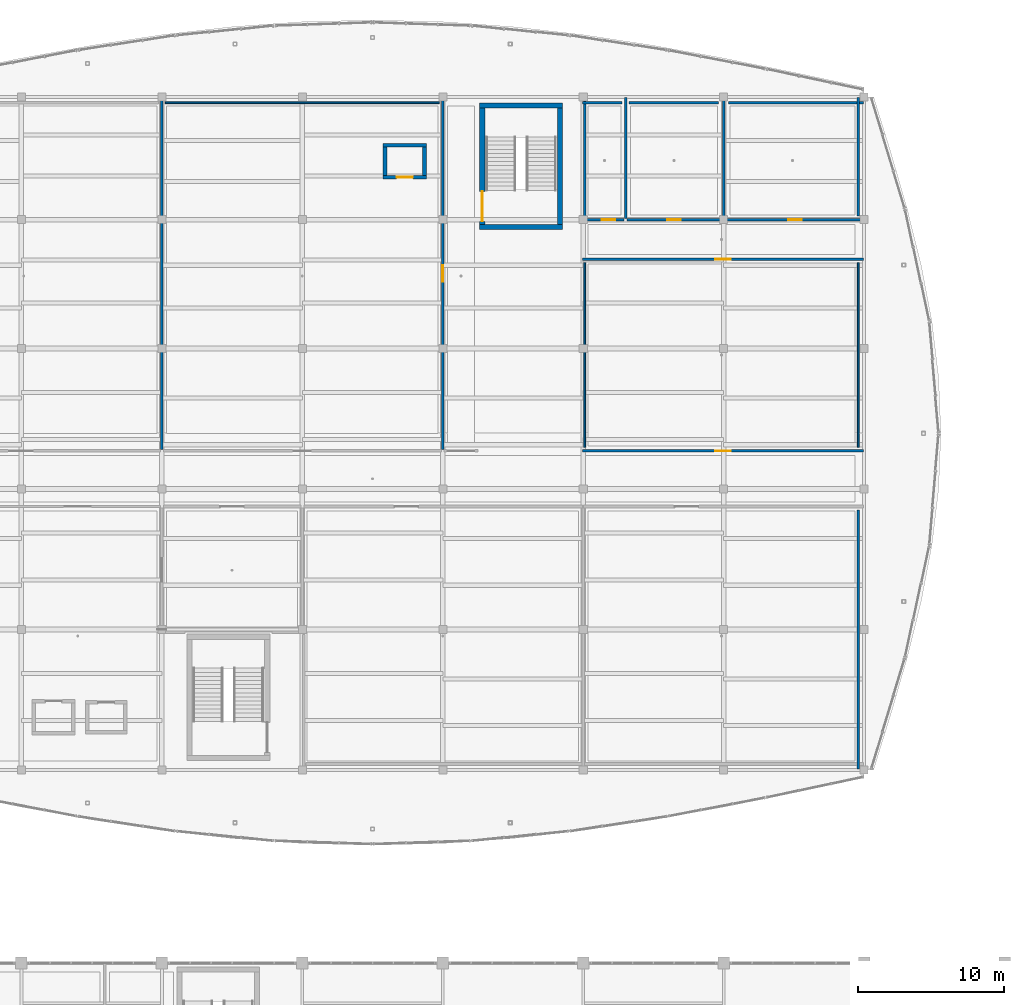
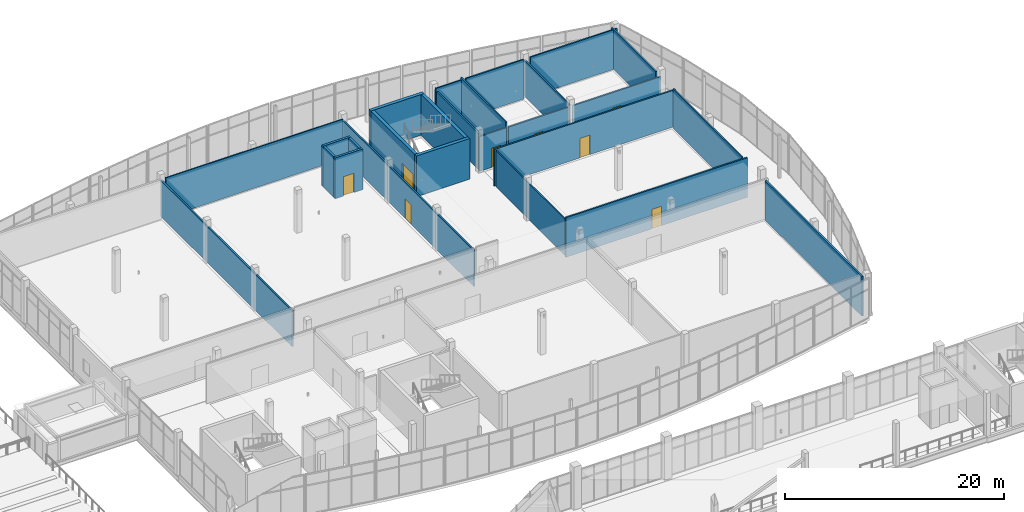
# One storey, part 136 of 157: 26 walls, 8 doors, 8 openings.
"""IFC4 building model written with IfcOpenShell, lengths in metres."""

from ifc_helpers import new_model, si_unit, direction, frame, frame_2d, origin, place, context, subcontext, project, spatial, rectangle, extrude, material, layer, layer_set, type_object, element, fill, save


model = new_model("IFC4")

# Units and contexts
model_context = context("Model", 3, precision=1e-05, world=origin(), true_north=direction((0.0, 1.0)))
body_context = subcontext(model_context, "Body", "Model", "MODEL_VIEW")
ifc_project = project(units=[si_unit("LENGTHUNIT", "METRE"), si_unit("AREAUNIT", "SQUARE_METRE"), si_unit("VOLUMEUNIT", "CUBIC_METRE"), si_unit("PLANEANGLEUNIT", "RADIAN"), si_unit("MASSUNIT", "GRAM", prefix="KILO")], contexts=[model_context])

# Site, building, storey
site_placement = place(None, origin())
site = spatial("IfcSite", under=ifc_project, at=site_placement, CompositionType="ELEMENT")
building_placement = place(site_placement, origin())
building = spatial("IfcBuilding", under=site, at=building_placement, Name="Chalmorin Arch Market", CompositionType="ELEMENT")
storey_placement = place(building_placement, frame((0.0, 0.0, 4.800048828125)))
storey = spatial("IfcBuildingStorey", under=building, at=storey_placement, Name="L01", CompositionType="ELEMENT", Elevation=4.800048828125)

# Walls
ifc_material_1 = material(Name="Gypsum Board Partition")
ifc_layer_1 = layer(ifc_material_1, 0.175048828125)
ifc_layer_set_1 = layer_set([ifc_layer_1], Name="Gypsum Board Partition")
wall_type_1 = type_object("IfcWallType", Name="AcousticStudioPartition-175", PredefinedType="PARTITIONING", material=ifc_layer_set_1)
wall_1_placement = place(storey_placement, frame((67.199951171875, 93.89990234375, 0.0), z_axis=(0.0, 0.0, 1.0), x_axis=(0.0, 1.0, 0.0)))
element("IfcWall", 1, at=wall_1_placement, inside=storey, type_object=wall_type_1, Name="ASP-175-505", PredefinedType="PARTITIONING", context=body_context, shape_type="SweptSolid", body=[
    extrude(rectangle(XDim=24.050048828125, YDim=0.175048828125, at=frame_2d((12.02490234375, 0.0))), origin(), (0.0, 0.0, 1.0), 4.036865234375),
])
wall_2_placement = place(storey_placement, frame((114.800048828125, 72.050048828125, 0.0), z_axis=(0.0, 0.0, 1.0), x_axis=(0.0, 1.0, 0.0)))
element("IfcWall", 2, at=wall_2_placement, inside=storey, type_object=wall_type_1, Name="ASP-175-524", PredefinedType="PARTITIONING", context=body_context, shape_type="SweptSolid", body=[
    extrude(rectangle(XDim=17.7099609375, YDim=0.175048828125, at=frame_2d((8.85498046875, 0.0))), origin(), (0.0, 0.0, 1.0), 4.419921875),
])
ifc_material_2 = material(Name="Concrete C40/50", Category="concrete")
ifc_layer_2 = layer(ifc_material_2, 0.35009765625)
ifc_layer_set_2 = layer_set([ifc_layer_2], Name="Concrete C40/50")
wall_type_2 = type_object("IfcWallType", Name="CoreShearWall-350", PredefinedType="SHEAR", material=ifc_layer_set_2)
for number, where, z_axis, x_axis, name in (
    (3, (94.574951171875, 109.10009765625, 0.0), (0.0, 0.0, 1.0), (-1.0, 0.0, 0.0), "CSW-350-093"),
    (4, (88.925048828125, 117.39990234375, 0.0), (0.0, 0.0, 1.0), (1.0, 0.0, 0.0), "CSW-350-094"),
):
    element("IfcWall", number, at=place(storey_placement, frame(where, z_axis=z_axis, x_axis=x_axis)), inside=storey, type_object=wall_type_2, Name=name, PredefinedType="SHEAR", context=body_context, shape_type="SweptSolid", body=[
        extrude(rectangle(XDim=5.64990234375, YDim=0.35009765625, at=frame_2d((2.824951171875, 0.0))), origin(), (0.0, 0.0, 1.0), 4.550048828125),
    ])

# Wall, opening, door
wall_3_placement = place(storey_placement, frame((89.10009765625, 109.27490234375, 0.0), z_axis=(0.0, 0.0, 1.0), x_axis=(0.0, 1.0, 0.0)))
wall_3 = element("IfcWall", 5, at=wall_3_placement, inside=storey, type_object=wall_type_2, Name="CSW-350-095", PredefinedType="SHEAR", context=body_context, shape_type="SweptSolid", body=[
    extrude(rectangle(XDim=7.9501953125, YDim=0.35009765625, at=frame_2d((3.97509765625, 0.0))), origin(), (0.0, 0.0, 1.0), 4.550048828125),
])
opening_1_placement = place(wall_3_placement, frame((0.219970703125, 0.0, 0.0)))
opening_1 = element("IfcOpeningElement", 6, at=opening_1_placement, cuts=wall_3, Name="Opening FD-SC6-L01", PredefinedType="OPENING", context=body_context, shape_type="SweptSolid", body=[
    extrude(rectangle(XDim=2.050048828125, YDim=2.14990234375, at=frame_2d((1.02490234375, 1.074951171875))), frame((0.0, 0.18505859375, 0.0), z_axis=(0.0, -1.0, 0.0), x_axis=(1.0, 0.0, 0.0)), (0.0, 0.0, 1.0), 0.3701171875),
])
ifc_material_3 = material(Name="Galvanised Steel", Category="steel")
door_type_1 = type_object("IfcDoorType", Name="DoubleFireExitDoor-2050x2150", OperationType="DOUBLE_DOOR_SINGLE_SWING", PredefinedType="DOOR", material=ifc_material_3)
door_1_placement = place(opening_1_placement, origin())
door_1 = element("IfcDoor", 7, at=door_1_placement, inside=storey, type_object=door_type_1, Name="FD-SC6-L01", OperationType="DOUBLE_DOOR_SINGLE_SWING", OverallHeight=2.14990234375, OverallWidth=2.050048828125, PredefinedType="DOOR", context=body_context, shape_type="SweptSolid", body=[
    extrude(rectangle(XDim=2.050048828125, YDim=2.14990234375, at=frame_2d((1.02490234375, 1.074951171875))), frame((0.0, 0.02490234375, 0.0), z_axis=(0.0, -1.0, 0.0), x_axis=(1.0, 0.0, 0.0)), (0.0, 0.0, 1.0), 0.050048828125),
])
fill(opening_1, door_1)

# Wall
wall_4_placement = place(storey_placement, frame((94.39990234375, 117.22509765625, 0.0), z_axis=(0.0, 0.0, 1.0), x_axis=(0.0, -1.0, 0.0)))
element("IfcWall", 8, at=wall_4_placement, inside=storey, type_object=wall_type_2, Name="CSW-350-096", PredefinedType="SHEAR", context=body_context, shape_type="SweptSolid", body=[
    extrude(rectangle(XDim=7.9501953125, YDim=0.35009765625, at=frame_2d((3.97509765625, 0.0))), origin(), (0.0, 0.0, 1.0), 4.550048828125),
])

# Wall, opening, door
ifc_layer_3 = layer(ifc_material_1, 0.159912109375)
ifc_layer_set_3 = layer_set([ifc_layer_3], Name="Gypsum Board Partition")
wall_type_3 = type_object("IfcWallType", Name="CorridorRatedPartition-160", PredefinedType="PARTITIONING", material=ifc_layer_set_3)
wall_5_placement = place(storey_placement, frame((95.949951171875, 93.800048828125, 0.0), z_axis=(0.0, 0.0, 1.0), x_axis=(1.0, 0.0, 0.0)))
wall_5 = element("IfcWall", 9, at=wall_5_placement, inside=storey, type_object=wall_type_3, Name="CRP-160-503", PredefinedType="PARTITIONING", context=body_context, shape_type="SweptSolid", body=[
    extrude(rectangle(XDim=19.199951171875, YDim=0.159912109375, at=frame_2d((9.60009765625, 0.0))), origin(), (0.0, 0.0, 1.0), 4.419921875),
])
opening_2_placement = place(wall_5_placement, frame((9.080078125, 0.0, 0.0)))
opening_2 = element("IfcOpeningElement", 10, at=opening_2_placement, cuts=wall_5, Name="Opening ID-164", PredefinedType="OPENING", context=body_context, shape_type="SweptSolid", body=[
    extrude(rectangle(XDim=1.0400390625, YDim=2.179931640625, at=frame_2d((0.52001953125, 1.08984375))), frame((0.0, 0.08984375, 0.0), z_axis=(0.0, -1.0, 0.0), x_axis=(1.0, 0.0, 0.0)), (0.0, 0.0, 1.0), 0.179931640625),
])
ifc_material_4 = material(Name="Oak Engineered Timber", Category="wood")
door_type_2 = type_object("IfcDoorType", Name="CommunityRoomDoor-1040x2180", OperationType="NOTDEFINED", PredefinedType="DOOR", material=ifc_material_4)
door_2_placement = place(opening_2_placement, origin())
door_2 = element("IfcDoor", 11, at=door_2_placement, inside=storey, type_object=door_type_2, Name="ID-164", OperationType="SINGLE_SWING_RIGHT", OverallHeight=2.179931640625, OverallWidth=1.0400390625, PredefinedType="DOOR", context=body_context, shape_type="SweptSolid", body=[
    extrude(rectangle(XDim=1.0400390625, YDim=2.179931640625, at=frame_2d((0.52001953125, 1.08984375))), frame((0.0, 0.02490234375, 0.0), z_axis=(0.0, -1.0, 0.0), x_axis=(1.0, 0.0, 0.0)), (0.0, 0.0, 1.0), 0.050048828125),
])
fill(opening_2, door_2)

wall_6_placement = place(storey_placement, frame((86.39990234375, 93.89990234375, 0.0), z_axis=(0.0, 0.0, 1.0), x_axis=(0.0, 1.0, 0.0)))
wall_6 = element("IfcWall", 12, at=wall_6_placement, inside=storey, type_object=wall_type_3, Name="CRP-160-504", PredefinedType="PARTITIONING", context=body_context, shape_type="SweptSolid", body=[
    extrude(rectangle(XDim=24.050048828125, YDim=0.159912109375, at=frame_2d((12.02490234375, 0.0))), origin(), (0.0, 0.0, 1.0), 4.036865234375),
])
opening_3_placement = place(wall_6_placement, frame((11.449951171875, 0.0, 0.0)))
opening_3 = element("IfcOpeningElement", 13, at=opening_3_placement, cuts=wall_6, Name="Opening ID-165", PredefinedType="OPENING", context=body_context, shape_type="SweptSolid", body=[
    extrude(rectangle(XDim=1.14990234375, YDim=2.199951171875, at=frame_2d((0.574951171875, 1.10009765625))), frame((0.0, 0.08984375, 0.0), z_axis=(0.0, -1.0, 0.0), x_axis=(1.0, 0.0, 0.0)), (0.0, 0.0, 1.0), 0.179931640625),
])
door_type_3 = type_object("IfcDoorType", Name="WorkshopHeavyDoor-1150x2200", OperationType="NOTDEFINED", PredefinedType="DOOR", material=ifc_material_3)
door_3_placement = place(opening_3_placement, origin())
door_3 = element("IfcDoor", 14, at=door_3_placement, inside=storey, type_object=door_type_3, Name="ID-165", OperationType="SINGLE_SWING_LEFT", OverallHeight=2.199951171875, OverallWidth=1.14990234375, PredefinedType="DOOR", context=body_context, shape_type="SweptSolid", body=[
    extrude(rectangle(XDim=1.14990234375, YDim=2.199951171875, at=frame_2d((0.574951171875, 1.10009765625))), frame((0.0, 0.02490234375, 0.0), z_axis=(0.0, -1.0, 0.0), x_axis=(1.0, 0.0, 0.0)), (0.0, 0.0, 1.0), 0.050048828125),
])
fill(opening_3, door_3)

wall_7_placement = place(storey_placement, frame((95.949951171875, 106.89990234375, 0.0), z_axis=(0.0, 0.0, 1.0), x_axis=(1.0, 0.0, 0.0)))
wall_7 = element("IfcWall", 15, at=wall_7_placement, inside=storey, type_object=wall_type_3, Name="CRP-160-506", PredefinedType="PARTITIONING", context=body_context, shape_type="SweptSolid", body=[
    extrude(rectangle(XDim=19.199951171875, YDim=0.159912109375, at=frame_2d((9.60009765625, 0.0))), origin(), (0.0, 0.0, 1.0), 4.099853515625),
])
opening_4_placement = place(wall_7_placement, frame((9.080078125, 0.0, 0.0)))
opening_4 = element("IfcOpeningElement", 16, at=opening_4_placement, cuts=wall_7, Name="Opening ID-166", PredefinedType="OPENING", context=body_context, shape_type="SweptSolid", body=[
    extrude(rectangle(XDim=1.0400390625, YDim=2.179931640625, at=frame_2d((0.52001953125, 1.08984375))), frame((0.0, 0.08984375, 0.0), z_axis=(0.0, -1.0, 0.0), x_axis=(1.0, 0.0, 0.0)), (0.0, 0.0, 1.0), 0.179931640625),
])
door_4_placement = place(opening_4_placement, origin())
door_4 = element("IfcDoor", 17, at=door_4_placement, inside=storey, type_object=door_type_2, Name="ID-166", OperationType="SINGLE_SWING_RIGHT", OverallHeight=2.179931640625, OverallWidth=1.0400390625, PredefinedType="DOOR", context=body_context, shape_type="SweptSolid", body=[
    extrude(rectangle(XDim=1.0400390625, YDim=2.179931640625, at=frame_2d((0.52001953125, 1.08984375))), frame((0.0, 0.02490234375, 0.0), z_axis=(0.0, -1.0, 0.0), x_axis=(1.0, 0.0, 0.0)), (0.0, 0.0, 1.0), 0.050048828125),
])
fill(opening_4, door_4)

# Walls
ifc_material_5 = material(Name="Powder-coated Aluminium Panel", Category="aluminium")
ifc_layer_4 = layer(ifc_material_5, 0.125)
ifc_layer_set_4 = layer_set([ifc_layer_4], Name="Powder-coated Aluminium Panel")
wall_type_4 = type_object("IfcWallType", Name="DemountableStudStallPartition-125", PredefinedType="PARTITIONING", material=ifc_layer_set_4)
wall_8_placement = place(storey_placement, frame((67.43994140625, 117.60009765625, 0.0), z_axis=(0.0, 0.0, 1.0), x_axis=(1.0, 0.0, 0.0)))
element("IfcWall", 18, at=wall_8_placement, inside=storey, type_object=wall_type_4, Name="DSP-125-527", PredefinedType="PARTITIONING", context=body_context, shape_type="SweptSolid", body=[
    extrude(rectangle(XDim=18.719970703125, YDim=0.125, at=frame_2d((9.35986328125, 0.0))), origin(), (0.0, 0.0, 1.0), 4.419921875),
])
wall_9_placement = place(storey_placement, frame((96.10009765625, 94.0400390625, 0.0), z_axis=(0.0, 0.0, 1.0), x_axis=(0.0, 1.0, 0.0)))
element("IfcWall", 19, at=wall_9_placement, inside=storey, type_object=wall_type_4, Name="DSP-125-528", PredefinedType="PARTITIONING", context=body_context, shape_type="SweptSolid", body=[
    extrude(rectangle(XDim=12.619873046875, YDim=0.125, at=frame_2d((6.31005859375, 0.0))), origin(), (0.0, 0.0, 1.0), 4.036865234375),
])
wall_10_placement = place(storey_placement, frame((114.800048828125, 94.0400390625, 0.0), z_axis=(0.0, 0.0, 1.0), x_axis=(0.0, 1.0, 0.0)))
element("IfcWall", 20, at=wall_10_placement, inside=storey, type_object=wall_type_4, Name="DSP-125-529", PredefinedType="PARTITIONING", context=body_context, shape_type="SweptSolid", body=[
    extrude(rectangle(XDim=12.619873046875, YDim=0.125, at=frame_2d((6.31005859375, 0.0))), origin(), (0.0, 0.0, 1.0), 4.419921875),
])

# Wall, opening, door
ifc_material_6 = material(Name="Concrete C35/45", Category="concrete")
ifc_layer_5 = layer(ifc_material_6, 0.25)
ifc_layer_set_5 = layer_set([ifc_layer_5], Name="Concrete C35/45")
wall_type_5 = type_object("IfcWallType", Name="ShaftEnclosureWall-250", PredefinedType="SOLIDWALL", material=ifc_layer_set_5)
wall_11_placement = place(storey_placement, frame((85.27490234375, 112.5, 0.0), z_axis=(0.0, 0.0, 1.0), x_axis=(-1.0, 0.0, 0.0)))
wall_11 = element("IfcWall", 21, at=wall_11_placement, inside=storey, type_object=wall_type_5, Name="SEW-250-202", PredefinedType="SOLIDWALL", context=body_context, shape_type="SweptSolid", body=[
    extrude(rectangle(XDim=2.949951171875, YDim=0.25, at=frame_2d((1.47509765625, 0.0))), origin(), (0.0, 0.0, 1.0), 4.550048828125),
])
opening_5_placement = place(wall_11_placement, frame((0.925048828125, 0.0, 0.0)))
opening_5 = element("IfcOpeningElement", 22, at=opening_5_placement, cuts=wall_11, Name="Opening LD-LF-FF2-L01", PredefinedType="OPENING", context=body_context, shape_type="SweptSolid", body=[
    extrude(rectangle(XDim=1.10009765625, YDim=2.14990234375, at=frame_2d((0.550048828125, 1.074951171875))), frame((0.0, 0.135009765625, 0.0), z_axis=(0.0, -1.0, 0.0), x_axis=(1.0, 0.0, 0.0)), (0.0, 0.0, 1.0), 0.27001953125),
])
ifc_material_7 = material(Name="Stainless Steel 316", Category="steel")
door_type_4 = type_object("IfcDoorType", Name="LiftLandingSlidingDoor-1100x2150", OperationType="DOUBLE_DOOR_SLIDING", PredefinedType="DOOR", material=ifc_material_7)
door_5_placement = place(opening_5_placement, origin())
door_5 = element("IfcDoor", 23, at=door_5_placement, inside=storey, type_object=door_type_4, Name="LD-LF-FF2-L01", OperationType="DOUBLE_DOOR_SLIDING", OverallHeight=2.14990234375, OverallWidth=1.10009765625, PredefinedType="DOOR", context=body_context, shape_type="SweptSolid", body=[
    extrude(rectangle(XDim=1.10009765625, YDim=2.14990234375, at=frame_2d((0.550048828125, 1.074951171875))), frame((0.0, 0.02490234375, 0.0), z_axis=(0.0, -1.0, 0.0), x_axis=(1.0, 0.0, 0.0)), (0.0, 0.0, 1.0), 0.050048828125),
])
fill(opening_5, door_5)

# Walls
wall_12_placement = place(storey_placement, frame((82.324951171875, 114.699951171875, 0.0), z_axis=(0.0, 0.0, 1.0), x_axis=(1.0, 0.0, 0.0)))
element("IfcWall", 24, at=wall_12_placement, inside=storey, type_object=wall_type_5, Name="SEW-250-203", PredefinedType="SOLIDWALL", context=body_context, shape_type="SweptSolid", body=[
    extrude(rectangle(XDim=2.949951171875, YDim=0.25, at=frame_2d((1.47509765625, 0.0))), origin(), (0.0, 0.0, 1.0), 4.550048828125),
])
for number, where, z_axis, x_axis, name in (
    (25, (82.449951171875, 112.625, 0.0), (0.0, 0.0, 1.0), (0.0, 1.0, 0.0), "SEW-250-204"),
    (26, (85.14990234375, 114.574951171875, 0.0), (0.0, 0.0, 1.0), (0.0, -1.0, 0.0), "SEW-250-205"),
):
    element("IfcWall", number, at=place(storey_placement, frame(where, z_axis=z_axis, x_axis=x_axis)), inside=storey, type_object=wall_type_5, Name=name, PredefinedType="SOLIDWALL", context=body_context, shape_type="SweptSolid", body=[
        extrude(rectangle(XDim=1.949951171875, YDim=0.25, at=frame_2d((0.97509765625, 0.0))), origin(), (0.0, 0.0, 1.0), 4.550048828125),
    ])

# Wall, opening, door
ifc_material_8 = material(Name="Concrete C30/37", Category="concrete")
ifc_layer_6 = layer(ifc_material_8, 0.14990234375)
ifc_layer_set_6 = layer_set([ifc_layer_6], Name="Concrete C30/37")
wall_type_6 = type_object("IfcWallType", Name="WetAreaTilePartition-150", PredefinedType="PARTITIONING", material=ifc_layer_set_6)
wall_13_placement = place(storey_placement, frame((95.949951171875, 109.60009765625, 0.0), z_axis=(0.0, 0.0, 1.0), x_axis=(1.0, 0.0, 0.0)))
wall_13 = element("IfcWall", 27, at=wall_13_placement, inside=storey, type_object=wall_type_6, Name="WTP-150-507", PredefinedType="PARTITIONING", context=body_context, shape_type="SweptSolid", body=[
    extrude(rectangle(XDim=2.85009765625, YDim=0.14990234375, at=frame_2d((1.425048828125, 0.0))), origin(), (0.0, 0.0, 1.0), 3.89501953125),
])
opening_6_placement = place(wall_13_placement, frame((1.303955078125, 0.0, 0.0)))
opening_6 = element("IfcOpeningElement", 28, at=opening_6_placement, cuts=wall_13, Name="Opening ID-167", PredefinedType="OPENING", context=body_context, shape_type="SweptSolid", body=[
    extrude(rectangle(XDim=0.949951171875, YDim=2.14990234375, at=frame_2d((0.47509765625, 1.074951171875))), frame((0.0, 0.0849609375, 0.0), z_axis=(0.0, -1.0, 0.0), x_axis=(1.0, 0.0, 0.0)), (0.0, 0.0, 1.0), 0.169921875),
])
door_type_5 = type_object("IfcDoorType", Name="AccessibleWCDoor-950x2150", OperationType="NOTDEFINED", PredefinedType="DOOR", material=ifc_material_4)
door_6_placement = place(opening_6_placement, origin())
door_6 = element("IfcDoor", 29, at=door_6_placement, inside=storey, type_object=door_type_5, Name="ID-167", OperationType="SINGLE_SWING_LEFT", OverallHeight=2.14990234375, OverallWidth=0.949951171875, PredefinedType="DOOR", context=body_context, shape_type="SweptSolid", body=[
    extrude(rectangle(XDim=0.949951171875, YDim=2.14990234375, at=frame_2d((0.47509765625, 1.074951171875))), frame((0.0, 0.02490234375, 0.0), z_axis=(0.0, -1.0, 0.0), x_axis=(1.0, 0.0, 0.0)), (0.0, 0.0, 1.0), 0.050048828125),
])
fill(opening_6, door_6)

wall_14_placement = place(storey_placement, frame((99.0, 109.60009765625, 0.0), z_axis=(0.0, 0.0, 1.0), x_axis=(1.0, 0.0, 0.0)))
wall_14 = element("IfcWall", 30, at=wall_14_placement, inside=storey, type_object=wall_type_6, Name="WTP-150-508", PredefinedType="PARTITIONING", context=body_context, shape_type="SweptSolid", body=[
    extrude(rectangle(XDim=6.39990234375, YDim=0.14990234375, at=frame_2d((3.199951171875, 0.0))), origin(), (0.0, 0.0, 1.0), 3.89501953125),
])
opening_7_placement = place(wall_14_placement, frame((2.75, 0.0, 0.0)))
opening_7 = element("IfcOpeningElement", 31, at=opening_7_placement, cuts=wall_14, Name="Opening ID-168", PredefinedType="OPENING", context=body_context, shape_type="SweptSolid", body=[
    extrude(rectangle(XDim=0.89990234375, YDim=2.14990234375, at=frame_2d((0.449951171875, 1.074951171875))), frame((0.0, 0.0849609375, 0.0), z_axis=(0.0, -1.0, 0.0), x_axis=(1.0, 0.0, 0.0)), (0.0, 0.0, 1.0), 0.169921875),
])
door_type_6 = type_object("IfcDoorType", Name="RestroomEntryDoor-900x2150", OperationType="NOTDEFINED", PredefinedType="DOOR", material=ifc_material_4)
door_7_placement = place(opening_7_placement, origin())
door_7 = element("IfcDoor", 32, at=door_7_placement, inside=storey, type_object=door_type_6, Name="ID-168", OperationType="SINGLE_SWING_RIGHT", OverallHeight=2.14990234375, OverallWidth=0.89990234375, PredefinedType="DOOR", context=body_context, shape_type="SweptSolid", body=[
    extrude(rectangle(XDim=0.89990234375, YDim=2.14990234375, at=frame_2d((0.449951171875, 1.074951171875))), frame((0.0, 0.02490234375, 0.0), z_axis=(0.0, -1.0, 0.0), x_axis=(1.0, 0.0, 0.0)), (0.0, 0.0, 1.0), 0.050048828125),
])
fill(opening_7, door_7)

wall_15_placement = place(storey_placement, frame((105.800048828125, 109.60009765625, 0.0), z_axis=(0.0, 0.0, 1.0), x_axis=(1.0, 0.0, 0.0)))
wall_15 = element("IfcWall", 33, at=wall_15_placement, inside=storey, type_object=wall_type_6, Name="WTP-150-509", PredefinedType="PARTITIONING", context=body_context, shape_type="SweptSolid", body=[
    extrude(rectangle(XDim=9.349853515625, YDim=0.14990234375, at=frame_2d((4.6748046875, 0.0))), origin(), (0.0, 0.0, 1.0), 3.89501953125),
])
opening_8_placement = place(wall_15_placement, frame((4.22509765625, 0.0, 0.0)))
opening_8 = element("IfcOpeningElement", 34, at=opening_8_placement, cuts=wall_15, Name="Opening ID-169", PredefinedType="OPENING", context=body_context, shape_type="SweptSolid", body=[
    extrude(rectangle(XDim=0.89990234375, YDim=2.14990234375, at=frame_2d((0.449951171875, 1.074951171875))), frame((0.0, 0.0849609375, 0.0), z_axis=(0.0, -1.0, 0.0), x_axis=(1.0, 0.0, 0.0)), (0.0, 0.0, 1.0), 0.169921875),
])
door_8_placement = place(opening_8_placement, origin())
door_8 = element("IfcDoor", 35, at=door_8_placement, inside=storey, type_object=door_type_6, Name="ID-169", OperationType="SINGLE_SWING_LEFT", OverallHeight=2.14990234375, OverallWidth=0.89990234375, PredefinedType="DOOR", context=body_context, shape_type="SweptSolid", body=[
    extrude(rectangle(XDim=0.89990234375, YDim=2.14990234375, at=frame_2d((0.449951171875, 1.074951171875))), frame((0.0, 0.02490234375, 0.0), z_axis=(0.0, -1.0, 0.0), x_axis=(1.0, 0.0, 0.0)), (0.0, 0.0, 1.0), 0.050048828125),
])
fill(opening_8, door_8)

# Walls
wall_16_placement = place(storey_placement, frame((98.89990234375, 109.699951171875, 0.0), z_axis=(0.0, 0.0, 1.0), x_axis=(0.0, 1.0, 0.0)))
element("IfcWall", 36, at=wall_16_placement, inside=storey, type_object=wall_type_6, Name="WTP-150-510", PredefinedType="PARTITIONING", context=body_context, shape_type="SweptSolid", body=[
    extrude(rectangle(XDim=8.25, YDim=0.14990234375, at=frame_2d((4.125, 0.0))), origin(), (0.0, 0.0, 1.0), 4.419921875),
])
wall_17_placement = place(storey_placement, frame((105.60009765625, 109.699951171875, 0.0), z_axis=(0.0, 0.0, 1.0), x_axis=(0.0, 1.0, 0.0)))
element("IfcWall", 37, at=wall_17_placement, inside=storey, type_object=wall_type_6, Name="WTP-150-511", PredefinedType="PARTITIONING", context=body_context, shape_type="SweptSolid", body=[
    extrude(rectangle(XDim=8.25, YDim=0.14990234375, at=frame_2d((4.125, 0.0))), origin(), (0.0, 0.0, 1.0), 4.036865234375),
])
wall_18_placement = place(storey_placement, frame((95.949951171875, 117.60009765625, 0.0), z_axis=(0.0, 0.0, 1.0), x_axis=(1.0, 0.0, 0.0)))
element("IfcWall", 38, at=wall_18_placement, inside=storey, type_object=wall_type_6, Name="WTP-150-530", PredefinedType="PARTITIONING", context=body_context, shape_type="SweptSolid", body=[
    extrude(rectangle(XDim=2.7099609375, YDim=0.14990234375, at=frame_2d((1.35498046875, 0.0))), origin(), (0.0, 0.0, 1.0), 4.419921875),
])
wall_19_placement = place(storey_placement, frame((96.10009765625, 109.840087890625, 0.0), z_axis=(0.0, 0.0, 1.0), x_axis=(0.0, 1.0, 0.0)))
element("IfcWall", 39, at=wall_19_placement, inside=storey, type_object=wall_type_6, Name="WTP-150-531", PredefinedType="PARTITIONING", context=body_context, shape_type="SweptSolid", body=[
    extrude(rectangle(XDim=8.10986328125, YDim=0.14990234375, at=frame_2d((4.054931640625, 0.0))), origin(), (0.0, 0.0, 1.0), 4.036865234375),
])
wall_20_placement = place(storey_placement, frame((99.139892578125, 117.60009765625, 0.0), z_axis=(0.0, 0.0, 1.0), x_axis=(1.0, 0.0, 0.0)))
element("IfcWall", 40, at=wall_20_placement, inside=storey, type_object=wall_type_6, Name="WTP-150-532", PredefinedType="PARTITIONING", context=body_context, shape_type="SweptSolid", body=[
    extrude(rectangle(XDim=6.1201171875, YDim=0.14990234375, at=frame_2d((3.06005859375, 0.0))), origin(), (0.0, 0.0, 1.0), 4.419921875),
])
wall_21_placement = place(storey_placement, frame((105.93994140625, 117.60009765625, 0.0), z_axis=(0.0, 0.0, 1.0), x_axis=(1.0, 0.0, 0.0)))
element("IfcWall", 41, at=wall_21_placement, inside=storey, type_object=wall_type_6, Name="WTP-150-533", PredefinedType="PARTITIONING", context=body_context, shape_type="SweptSolid", body=[
    extrude(rectangle(XDim=9.2099609375, YDim=0.14990234375, at=frame_2d((4.60498046875, 0.0))), origin(), (0.0, 0.0, 1.0), 4.419921875),
])
wall_22_placement = place(storey_placement, frame((114.800048828125, 109.840087890625, 0.0), z_axis=(0.0, 0.0, 1.0), x_axis=(0.0, 1.0, 0.0)))
element("IfcWall", 42, at=wall_22_placement, inside=storey, type_object=wall_type_6, Name="WTP-150-534", PredefinedType="PARTITIONING", context=body_context, shape_type="SweptSolid", body=[
    extrude(rectangle(XDim=8.10986328125, YDim=0.14990234375, at=frame_2d((4.054931640625, 0.0))), origin(), (0.0, 0.0, 1.0), 4.419921875),
])

save(model, "model.ifc")
